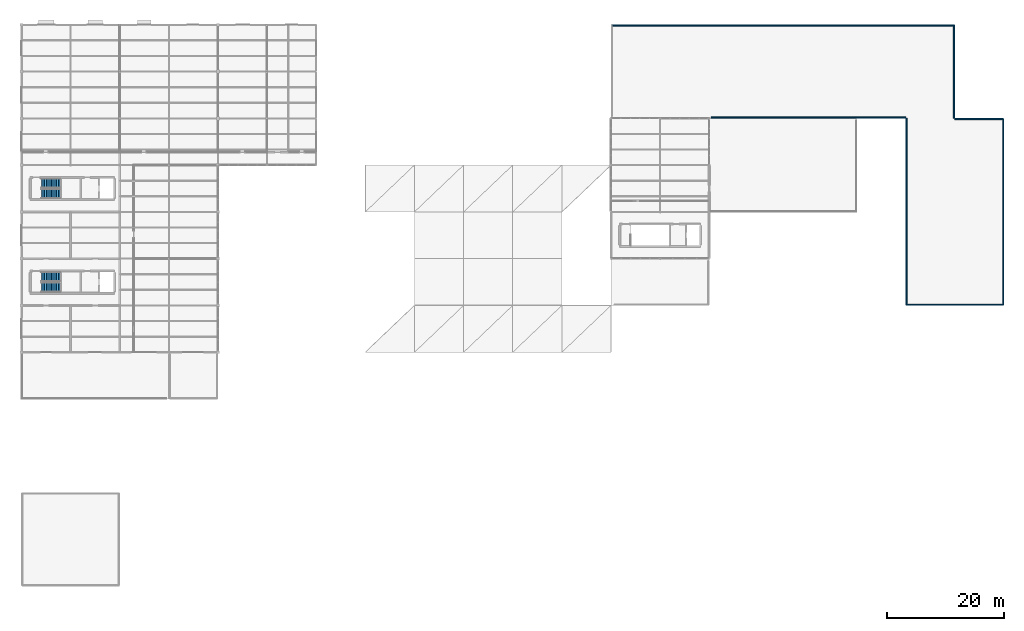
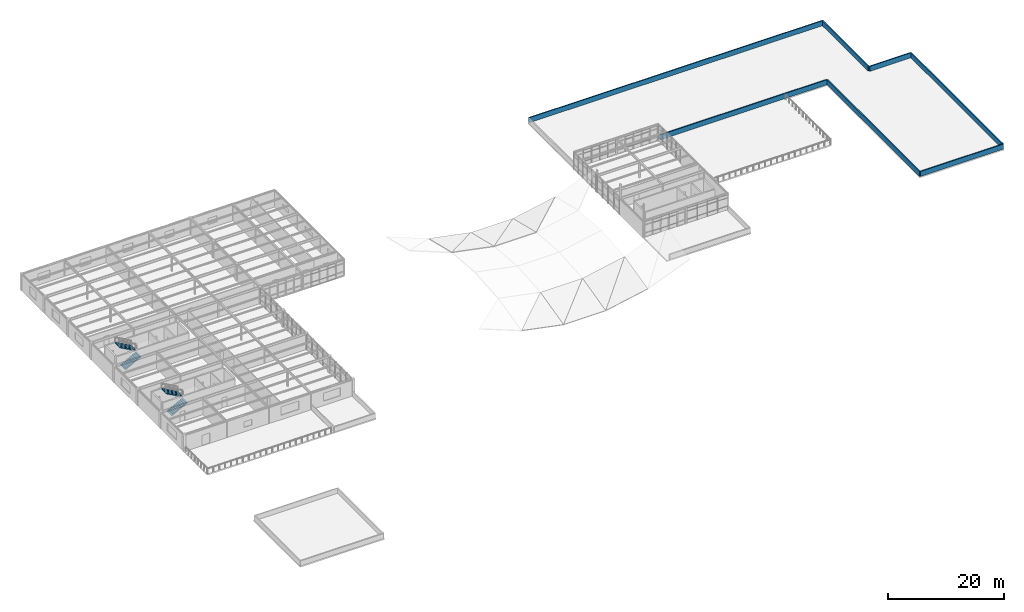
# One storey, part 28 of 32: 7 walls, 4 stair flights, 2 elements without a shape of their own.
"""IFC4 building model written with IfcOpenShell, lengths in metres."""

import ifcopenshell
import ifcopenshell.guid

model = None  # the IFC model being written
_history = None  # IfcOwnerHistory: only IFC2X3 demands one
_inside = {}  # id of a spatial element -> (the spatial element, [elements in it])
_under = {}  # id of a project, library or spatial element -> (it, [spatial elements below it])
_declared = {}  # id of a project -> (the project, [libraries it declares])
_typed = {}  # id of a type object -> (the type object, [elements of that type])
_made_of = {}  # id of a material, layer set ... -> (it, [elements and type objects made of it])


def new_model(schema):
    """Start an empty IFC model of exactly this schema.

    Asked for "IFC4X3", IfcOpenShell would pick the latest addendum, in which some entities
    have other attributes; the version numbers below select the first issue.
    IFC2X3 requires an IfcOwnerHistory on every rooted entity: one is made here for all.
    """
    global model, _history
    if schema == "IFC4X3":
        model = ifcopenshell.file(schema_version=(4, 3, 0, 0))
    else:
        model = ifcopenshell.file(schema=schema)
    _inside.clear()
    _under.clear()
    _declared.clear()
    _typed.clear()
    _made_of.clear()
    _history = None
    if model.schema == "IFC2X3":
        org = make("IfcOrganization", Name="unknown")
        user = make(
            "IfcPersonAndOrganization",
            ThePerson=make("IfcPerson", FamilyName="unknown"),
            TheOrganization=org,
        )
        app = make(
            "IfcApplication",
            ApplicationDeveloper=org,
            Version="unknown",
            ApplicationFullName="unknown",
            ApplicationIdentifier="unknown",
        )
        _history = make(
            "IfcOwnerHistory",
            OwningUser=user,
            OwningApplication=app,
            ChangeAction="ADDED",
            CreationDate=0,
        )
    return model


def make(cls, **values):
    """One entity of the class cls with the attributes given. An attribute that is None is left unset."""
    return model.create_entity(
        cls, **{name: value for name, value in values.items() if value is not None}
    )


def rooted(cls, **values):
    """An entity with a GlobalId (a new one), such as an element, a storey or a relation."""
    return make(cls, GlobalId=ifcopenshell.guid.new(), OwnerHistory=_history, **values)


def si_unit(unit_type, name, prefix=None):
    """IfcSIUnit, for example si_unit("LENGTHUNIT", "METRE", prefix="MILLI")."""
    return make("IfcSIUnit", UnitType=unit_type, Prefix=prefix, Name=name)


def assignment(units):
    """IfcUnitAssignment: the units of a project."""
    return None if units is None else make("IfcUnitAssignment", Units=units)


def point(xyz):
    """IfcCartesianPoint."""
    return None if xyz is None else make("IfcCartesianPoint", Coordinates=xyz)


def direction(xyz):
    """IfcDirection."""
    return None if xyz is None else make("IfcDirection", DirectionRatios=xyz)


def frame(location, z_axis=None, x_axis=None):
    """IfcAxis2Placement3D, a coordinate frame: its origin and axes. An axis left out is left unset."""
    return make(
        "IfcAxis2Placement3D",
        Location=point(location),
        Axis=direction(z_axis),
        RefDirection=direction(x_axis),
    )


def frame_2d(location, x_axis=None):
    """IfcAxis2Placement2D, a coordinate frame in the plane: its origin and x axis."""
    return make(
        "IfcAxis2Placement2D", Location=point(location), RefDirection=direction(x_axis)
    )


def origin():
    """The frame at (0, 0, 0) with its axes left unset."""
    return frame((0.0, 0.0, 0.0))


def place(relative_to, where):
    """IfcLocalPlacement: puts the frame where relative to a parent placement (None: the world)."""
    return make(
        "IfcLocalPlacement", PlacementRelTo=relative_to, RelativePlacement=where
    )


def context(
    kind, dimensions, precision=None, world=None, true_north=None, identifier=None
):
    """IfcGeometricRepresentationContext, for example the 3D "Model" context."""
    return make(
        "IfcGeometricRepresentationContext",
        ContextIdentifier=identifier,
        ContextType=kind,
        CoordinateSpaceDimension=dimensions,
        Precision=precision,
        WorldCoordinateSystem=world,
        TrueNorth=true_north,
    )


def subcontext(parent, identifier, kind, view, scale=None):
    """IfcGeometricRepresentationSubContext, for example "Body" below "Model"."""
    return make(
        "IfcGeometricRepresentationSubContext",
        ContextIdentifier=identifier,
        ContextType=kind,
        ParentContext=parent,
        TargetScale=scale,
        TargetView=view,
    )


def project(units=None, contexts=None):
    """IfcProject with its units and contexts."""
    return rooted(
        "IfcProject",
        Name="project",
        RepresentationContexts=contexts,
        UnitsInContext=assignment(units),
    )


def spatial(cls, under=None, at=None, **own):
    """A site, building, storey or space (cls), placed at a placement, below another one or the project."""
    s = rooted(cls, ObjectPlacement=at, **own)
    if under is not None:
        _under.setdefault(under.id(), (under, []))[1].append(s)
    return s


def polyline(points):
    """IfcPolyline through the points."""
    return make("IfcPolyline", Points=[point(p) for p in points])


def profile(cls, at=None, kind="AREA", **sizes):
    """A parametric profile (cls). Its sizes go by their IFC names, for example OverallWidth=200.0."""
    return make(cls, ProfileType=kind, Position=at, **sizes)


def rectangle(**sizes):
    """IfcRectangleProfileDef."""
    return profile("IfcRectangleProfileDef", **sizes)


def outline(outer, holes=None, kind="AREA"):
    """IfcArbitraryClosedProfileDef: a profile drawn as a closed curve; with holes, ...WithVoids."""
    if holes is None:
        return make("IfcArbitraryClosedProfileDef", ProfileType=kind, OuterCurve=outer)
    return make(
        "IfcArbitraryProfileDefWithVoids",
        ProfileType=kind,
        OuterCurve=outer,
        InnerCurves=holes,
    )


def extrude(swept, where, along, depth):
    """IfcExtrudedAreaSolid: the profile swept, set in the frame where, extruded along a direction by depth."""
    return make(
        "IfcExtrudedAreaSolid",
        SweptArea=swept,
        Position=where,
        ExtrudedDirection=direction(along),
        Depth=depth,
    )


def shape(context_of_items, identifier, shape_type, items):
    """IfcShapeRepresentation: the items that make up one representation, for example the "Body"."""
    return make(
        "IfcShapeRepresentation",
        ContextOfItems=context_of_items,
        RepresentationIdentifier=identifier,
        RepresentationType=shape_type,
        Items=items,
    )


def material(Name=None, Category=None):
    """IfcMaterial."""
    return make("IfcMaterial", Name=Name, Category=Category)


def layer(
    of_material, thickness, ventilated=None, Name=None, Category=None, Priority=None
):
    """IfcMaterialLayer: one layer of a wall or slab, of a material (None: an air gap)."""
    return make(
        "IfcMaterialLayer",
        Material=of_material,
        LayerThickness=thickness,
        IsVentilated=ventilated,
        Name=Name,
        Category=Category,
        Priority=Priority,
    )


def layer_set(layers, Name=None):
    """IfcMaterialLayerSet."""
    return make("IfcMaterialLayerSet", MaterialLayers=layers, LayerSetName=Name)


def made_of(thing, what):
    """Note that an element or type object is made of a material, layer set ...; save() writes the relation."""
    if what is not None:
        _made_of.setdefault(what.id(), (what, []))[1].append(thing)
    return thing


def type_object(cls, material=None, **own):
    """A type object (cls), such as IfcWallType, which elements share."""
    return made_of(rooted(cls, **own), material)


def element(
    cls,
    number,
    at=None,
    inside=None,
    cuts=None,
    type_object=None,
    material=None,
    context=None,
    identifier="Body",
    shape_type=None,
    held_by="IfcProductDefinitionShape",
    body=None,
    shapes=None,
    **own,
):
    """One element of the class cls, such as IfcWall. Its Tag is "e" and its number.

    at: its placement. inside: the storey or other place that contains it. cuts: it is an
    opening in that element (IfcRelVoidsElement). A single representation is given by context,
    identifier, shape_type and body (its items); several are given by shapes. held_by: the class
    of the entity that holds the representations. save() writes the other relations.
    """
    e = rooted(cls, Tag="e%d" % number, ObjectPlacement=at, **own)
    if body is not None:
        shapes = [shape(context, identifier, shape_type, body)]
    if shapes is not None:
        e.Representation = make(held_by, Representations=shapes)
    if inside is not None:
        _inside.setdefault(inside.id(), (inside, []))[1].append(e)
    if cuts is not None:
        rooted(
            "IfcRelVoidsElement", RelatingBuildingElement=cuts, RelatedOpeningElement=e
        )
    if type_object is not None:
        _typed.setdefault(type_object.id(), (type_object, []))[1].append(e)
    return made_of(e, material)


def aggregate(whole, parts):
    """IfcRelAggregates: a whole, such as a stair, and the parts it consists of."""
    return rooted("IfcRelAggregates", RelatingObject=whole, RelatedObjects=parts)


def save(model, path):
    """Write the relations noted so far, then the file.

    IfcRelAggregates (storeys below a building ...), IfcRelContainedInSpatialStructure (elements
    in a storey), IfcRelDefinesByType, IfcRelAssociatesMaterial and IfcRelDeclares: one each for
    every whole, place, type object, material and project.
    """
    for whole, parts in _under.values():
        aggregate(whole, parts)
    for where, things in _inside.values():
        rooted(
            "IfcRelContainedInSpatialStructure",
            RelatedElements=things,
            RelatingStructure=where,
        )
    for kind, things in _typed.values():
        rooted("IfcRelDefinesByType", RelatedObjects=things, RelatingType=kind)
    for what, things in _made_of.values():
        rooted("IfcRelAssociatesMaterial", RelatedObjects=things, RelatingMaterial=what)
    for by, libraries in _declared.values():
        rooted("IfcRelDeclares", RelatingContext=by, RelatedDefinitions=libraries)
    model.write(path)


model = new_model("IFC4")

# Units and contexts
model_context = context("Model", 3, precision=1e-05, world=origin(), true_north=direction((0.0, 1.0)))
body_context = subcontext(model_context, "Body", "Model", "MODEL_VIEW")
ifc_project = project(units=[si_unit("LENGTHUNIT", "METRE"), si_unit("AREAUNIT", "SQUARE_METRE"), si_unit("VOLUMEUNIT", "CUBIC_METRE"), si_unit("PLANEANGLEUNIT", "RADIAN"), si_unit("MASSUNIT", "GRAM", prefix="KILO")], contexts=[model_context])

# Site, building, storey
site_placement = place(None, origin())
site = spatial("IfcSite", under=ifc_project, at=site_placement, CompositionType="ELEMENT")
building_placement = place(site_placement, origin())
building = spatial("IfcBuilding", under=site, at=building_placement, Name="Kranzveld Transit Interchange", CompositionType="ELEMENT")
storey_placement = place(building_placement, frame((0.0, 0.0, 17.199951171875)))
storey = spatial("IfcBuildingStorey", under=building, at=storey_placement, Name="L04", CompositionType="ELEMENT", Elevation=17.199951171875)

# Walls
ifc_material_1 = material(Name="Pretoria red-purple clinker clay face brick, 35 MPa", Category="masonry")
ifc_layer_1 = layer(ifc_material_1, 0.22998046875)
ifc_layer_set_1 = layer_set([ifc_layer_1], Name="Pretoria red-purple clinker clay face brick, 35 MPa")
wall_type_1 = type_object("IfcWallType", Name="Roof Parapet Wall Clinker Brick 230", PredefinedType="PARAPET", material=ifc_layer_set_1)
wall_1_placement = place(storey_placement, frame((151.320068359375, 64.1201171875, 0.0), z_axis=(0.0, 0.0, 1.0), x_axis=(0.0, 1.0, 0.0)))
element("IfcWall", 1, at=wall_1_placement, inside=storey, type_object=wall_type_1, Name="L04 Roof Parapet 036", PredefinedType="PARAPET", context=body_context, shape_type="SweptSolid", body=[
    extrude(rectangle(XDim=31.8798828125, YDim=0.22998046875, at=frame_2d((15.93994140625, 0.0))), origin(), (0.0, 0.0, 1.0), 1.050048828125),
])
wall_2_placement = place(storey_placement, frame((159.47998046875, 111.8798828125, 0.0), z_axis=(0.0, 0.0, 1.0), x_axis=(0.0, -1.0, 0.0)))
element("IfcWall", 2, at=wall_2_placement, inside=storey, type_object=wall_type_1, Name="L04 Roof Parapet 040", PredefinedType="PARAPET", context=body_context, shape_type="SweptSolid", body=[
    extrude(rectangle(XDim=15.8798828125, YDim=0.22998046875, at=frame_2d((7.93994140625, 0.0))), origin(), (0.0, 0.0, 1.0), 1.050048828125),
])
wall_3_placement = place(storey_placement, frame((167.8798828125, 95.8798828125, 0.0), z_axis=(0.0, 0.0, 1.0), x_axis=(0.0, -1.0, 0.0)))
element("IfcWall", 3, at=wall_3_placement, inside=storey, type_object=wall_type_1, Name="L04 Roof Parapet 042", PredefinedType="PARAPET", context=body_context, shape_type="SweptSolid", body=[
    extrude(rectangle(XDim=31.759765625, YDim=0.22998046875, at=frame_2d((15.8798828125, 0.0))), origin(), (0.0, 0.0, 1.0), 1.050048828125),
])
ifc_material_2 = material(Name="Dark Pretoria clinker clay plinth brick, 40 MPa", Category="masonry")
ifc_layer_2 = layer(ifc_material_2, 0.215087890625)
ifc_layer_set_2 = layer_set([ifc_layer_2], Name="Dark Pretoria clinker clay plinth brick, 40 MPa")
wall_type_2 = type_object("IfcWallType", Name="Terrace Parapet Upstand Brick 215", PredefinedType="PARAPET", material=ifc_layer_set_2)
wall_4_placement = place(storey_placement, frame((167.8798828125, 64.1201171875, 0.0), z_axis=(0.0, 0.0, 1.0), x_axis=(-1.0, 0.0, 0.0)))
element("IfcWall", 4, at=wall_4_placement, inside=storey, type_object=wall_type_2, Name="L04 Roof Parapet 035", PredefinedType="PARAPET", context=body_context, shape_type="SweptSolid", body=[
    extrude(rectangle(XDim=16.559814453125, YDim=0.215087890625, at=frame_2d((8.27978515625, 0.0))), origin(), (0.0, 0.0, 1.0), 1.050048828125),
])
wall_5_placement = place(storey_placement, frame((151.199951171875, 96.1201171875, 0.0), z_axis=(0.0, 0.0, 1.0), x_axis=(-1.0, 0.0, 0.0)))
element("IfcWall", 5, at=wall_5_placement, inside=storey, type_object=wall_type_2, Name="L04 Roof Parapet 037", PredefinedType="PARAPET", context=body_context, shape_type="SweptSolid", body=[
    extrude(rectangle(XDim=33.271728515625, YDim=0.215087890625, at=frame_2d((16.6357421875, 0.0))), origin(), (0.0, 0.0, 1.0), 1.050048828125),
])
wall_6_placement = place(storey_placement, frame((100.919921875, 111.8798828125, 0.0), z_axis=(0.0, 0.0, 1.0), x_axis=(1.0, 0.0, 0.0)))
element("IfcWall", 6, at=wall_6_placement, inside=storey, type_object=wall_type_2, Name="L04 Roof Parapet 039", PredefinedType="PARAPET", context=body_context, shape_type="SweptSolid", body=[
    extrude(rectangle(XDim=58.56005859375, YDim=0.215087890625, at=frame_2d((29.280029296875, 0.0))), origin(), (0.0, 0.0, 1.0), 1.050048828125),
])
wall_7_placement = place(storey_placement, frame((159.60009765625, 95.8798828125, 0.0), z_axis=(0.0, 0.0, 1.0), x_axis=(1.0, 0.0, 0.0)))
element("IfcWall", 7, at=wall_7_placement, inside=storey, type_object=wall_type_2, Name="L04 Roof Parapet 041", PredefinedType="PARAPET", context=body_context, shape_type="SweptSolid", body=[
    extrude(rectangle(XDim=8.27978515625, YDim=0.215087890625, at=frame_2d((4.139892578125, 0.0))), origin(), (0.0, 0.0, 1.0), 1.050048828125),
])

# Stair, stair flights
ifc_material_3 = material(Name="Concrete C35/45", Category="concrete")
stair_type = type_object("IfcStairType", Name="Dogleg Stair 1650W H3840 C35/45", PredefinedType="HALF_TURN_STAIR", material=ifc_material_3)
stair_1_placement = place(storey_placement, origin())
stair_1 = element("IfcStair", 8, at=stair_1_placement, inside=storey, type_object=stair_type, Name="L04 Operations Core C1", PredefinedType="HALF_TURN_STAIR")
ifc_material_4 = material(Name="Concrete C35/45", Category="concrete")
stair_flight_type = type_object("IfcStairFlightType", Name="Stair Flight 1650W H3840 C35/45", PredefinedType="STRAIGHT", material=ifc_material_4)
stair_flight_1_placement = place(storey_placement, frame((3.39990234375, 67.094970703125, 0.0), z_axis=(0.0, 0.0, 1.0), x_axis=(1.0, 0.0, 0.0)))
stair_flight_1 = element("IfcStairFlight", 9, at=stair_flight_1_placement, type_object=stair_flight_type, Name="ST-C1 flight 1", NumberOfRisers=12, NumberOfTreads=11, PredefinedType="STRAIGHT", RiserHeight=0.16, TreadLength=0.29, context=body_context, shape_type="SweptSolid", body=[
    extrude(outline(polyline([(0.0, 0.0), (0.0, 0.159912109375), (0.2900390625, 0.159912109375), (0.2900390625, 0.320068359375), (0.580078125, 0.320068359375), (0.580078125, 0.47998046875), (0.8701171875, 0.47998046875), (0.8701171875, 0.639892578125), (1.159912109375, 0.639892578125), (1.159912109375, 0.800048828125), (1.449951171875, 0.800048828125), (1.449951171875, 0.9599609375), (1.739990234375, 0.9599609375), (1.739990234375, 1.1201171875), (2.030029296875, 1.1201171875), (2.030029296875, 1.280029296875), (2.320068359375, 1.280029296875), (2.320068359375, 1.43994140625), (2.610107421875, 1.43994140625), (2.610107421875, 1.60009765625), (2.89990234375, 1.60009765625), (2.89990234375, 1.760009765625), (3.18994140625, 1.760009765625), (3.18994140625, 1.919921875), (3.18994140625, 1.577392578125), (0.3310546875, 0.0), (0.0, 0.0)])), frame((0.0, 0.824951171875, 0.0), z_axis=(0.0, -1.0, 0.0), x_axis=(1.0, 0.0, 0.0)), (0.0, 0.0, 1.0), 1.64990234375),
])
stair_flight_2_placement = place(storey_placement, frame((6.590087890625, 68.905029296875, 1.920166015625), z_axis=(0.0, 0.0, 1.0), x_axis=(-1.0, 0.0, 0.0)))
stair_flight_2 = element("IfcStairFlight", 10, at=stair_flight_2_placement, type_object=stair_flight_type, Name="ST-C1 flight 2", NumberOfRisers=12, NumberOfTreads=11, PredefinedType="STRAIGHT", RiserHeight=0.16, TreadLength=0.29, context=body_context, shape_type="SweptSolid", body=[
    extrude(outline(polyline([(0.0, 0.0), (0.0, 0.159912109375), (0.2900390625, 0.159912109375), (0.2900390625, 0.320068359375), (0.580078125, 0.320068359375), (0.580078125, 0.47998046875), (0.8701171875, 0.47998046875), (0.8701171875, 0.639892578125), (1.159912109375, 0.639892578125), (1.159912109375, 0.800048828125), (1.449951171875, 0.800048828125), (1.449951171875, 0.9599609375), (1.739990234375, 0.9599609375), (1.739990234375, 1.1201171875), (2.030029296875, 1.1201171875), (2.030029296875, 1.280029296875), (2.320068359375, 1.280029296875), (2.320068359375, 1.43994140625), (2.610107421875, 1.43994140625), (2.610107421875, 1.60009765625), (2.89990234375, 1.60009765625), (2.89990234375, 1.760009765625), (3.18994140625, 1.760009765625), (3.18994140625, 1.919921875), (3.18994140625, 1.577392578125), (0.3310546875, 0.0), (0.0, 0.0)])), frame((0.0, 0.824951171875, 0.0), z_axis=(0.0, -1.0, 0.0), x_axis=(1.0, 0.0, 0.0)), (0.0, 0.0, 1.0), 1.64990234375),
])
aggregate(stair_1, [stair_flight_1, stair_flight_2])

stair_2_placement = place(storey_placement, origin())
stair_2 = element("IfcStair", 11, at=stair_2_placement, inside=storey, type_object=stair_type, Name="L04 Operations Core C2", PredefinedType="HALF_TURN_STAIR")
stair_flight_3_placement = place(storey_placement, frame((3.39990234375, 83.094970703125, 0.0), z_axis=(0.0, 0.0, 1.0), x_axis=(1.0, 0.0, 0.0)))
stair_flight_3 = element("IfcStairFlight", 12, at=stair_flight_3_placement, type_object=stair_flight_type, Name="ST-C2 flight 1", NumberOfRisers=12, NumberOfTreads=11, PredefinedType="STRAIGHT", RiserHeight=0.16, TreadLength=0.29, context=body_context, shape_type="SweptSolid", body=[
    extrude(outline(polyline([(0.0, 0.0), (0.0, 0.159912109375), (0.2900390625, 0.159912109375), (0.2900390625, 0.320068359375), (0.580078125, 0.320068359375), (0.580078125, 0.47998046875), (0.8701171875, 0.47998046875), (0.8701171875, 0.639892578125), (1.159912109375, 0.639892578125), (1.159912109375, 0.800048828125), (1.449951171875, 0.800048828125), (1.449951171875, 0.9599609375), (1.739990234375, 0.9599609375), (1.739990234375, 1.1201171875), (2.030029296875, 1.1201171875), (2.030029296875, 1.280029296875), (2.320068359375, 1.280029296875), (2.320068359375, 1.43994140625), (2.610107421875, 1.43994140625), (2.610107421875, 1.60009765625), (2.89990234375, 1.60009765625), (2.89990234375, 1.760009765625), (3.18994140625, 1.760009765625), (3.18994140625, 1.919921875), (3.18994140625, 1.577392578125), (0.3310546875, 0.0), (0.0, 0.0)])), frame((0.0, 0.824951171875, 0.0), z_axis=(0.0, -1.0, 0.0), x_axis=(1.0, 0.0, 0.0)), (0.0, 0.0, 1.0), 1.64990234375),
])
stair_flight_4_placement = place(storey_placement, frame((6.590087890625, 84.905029296875, 1.920166015625), z_axis=(0.0, 0.0, 1.0), x_axis=(-1.0, 0.0, 0.0)))
stair_flight_4 = element("IfcStairFlight", 13, at=stair_flight_4_placement, type_object=stair_flight_type, Name="ST-C2 flight 2", NumberOfRisers=12, NumberOfTreads=11, PredefinedType="STRAIGHT", RiserHeight=0.16, TreadLength=0.29, context=body_context, shape_type="SweptSolid", body=[
    extrude(outline(polyline([(0.0, 0.0), (0.0, 0.159912109375), (0.2900390625, 0.159912109375), (0.2900390625, 0.320068359375), (0.580078125, 0.320068359375), (0.580078125, 0.47998046875), (0.8701171875, 0.47998046875), (0.8701171875, 0.639892578125), (1.159912109375, 0.639892578125), (1.159912109375, 0.800048828125), (1.449951171875, 0.800048828125), (1.449951171875, 0.9599609375), (1.739990234375, 0.9599609375), (1.739990234375, 1.1201171875), (2.030029296875, 1.1201171875), (2.030029296875, 1.280029296875), (2.320068359375, 1.280029296875), (2.320068359375, 1.43994140625), (2.610107421875, 1.43994140625), (2.610107421875, 1.60009765625), (2.89990234375, 1.60009765625), (2.89990234375, 1.760009765625), (3.18994140625, 1.760009765625), (3.18994140625, 1.919921875), (3.18994140625, 1.577392578125), (0.3310546875, 0.0), (0.0, 0.0)])), frame((0.0, 0.824951171875, 0.0), z_axis=(0.0, -1.0, 0.0), x_axis=(1.0, 0.0, 0.0)), (0.0, 0.0, 1.0), 1.64990234375),
])
aggregate(stair_2, [stair_flight_3, stair_flight_4])

save(model, "model.ifc")
